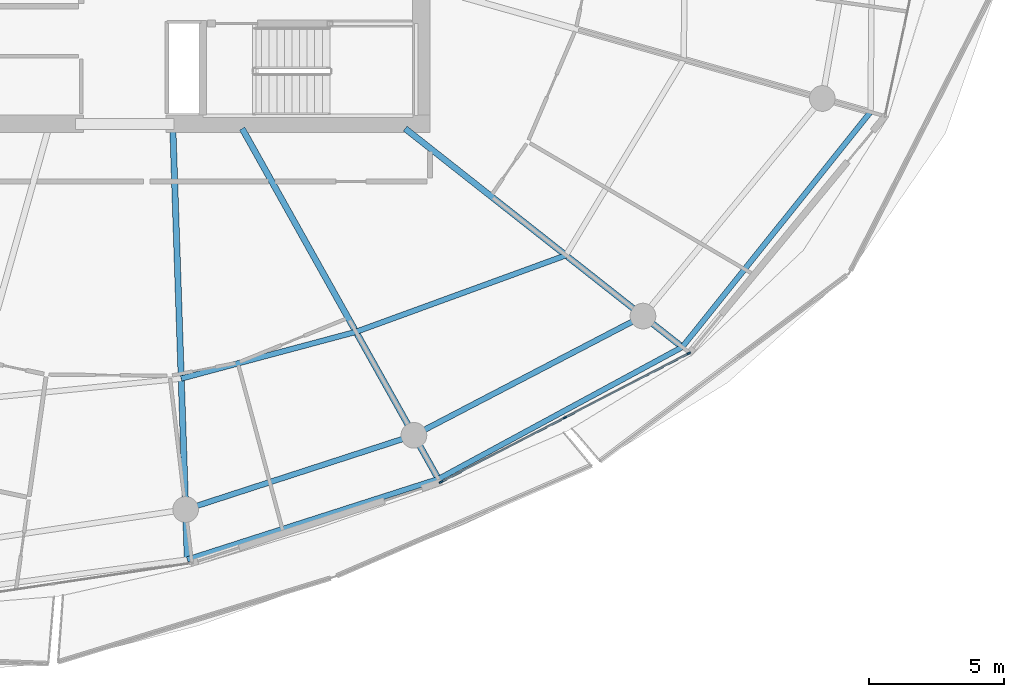
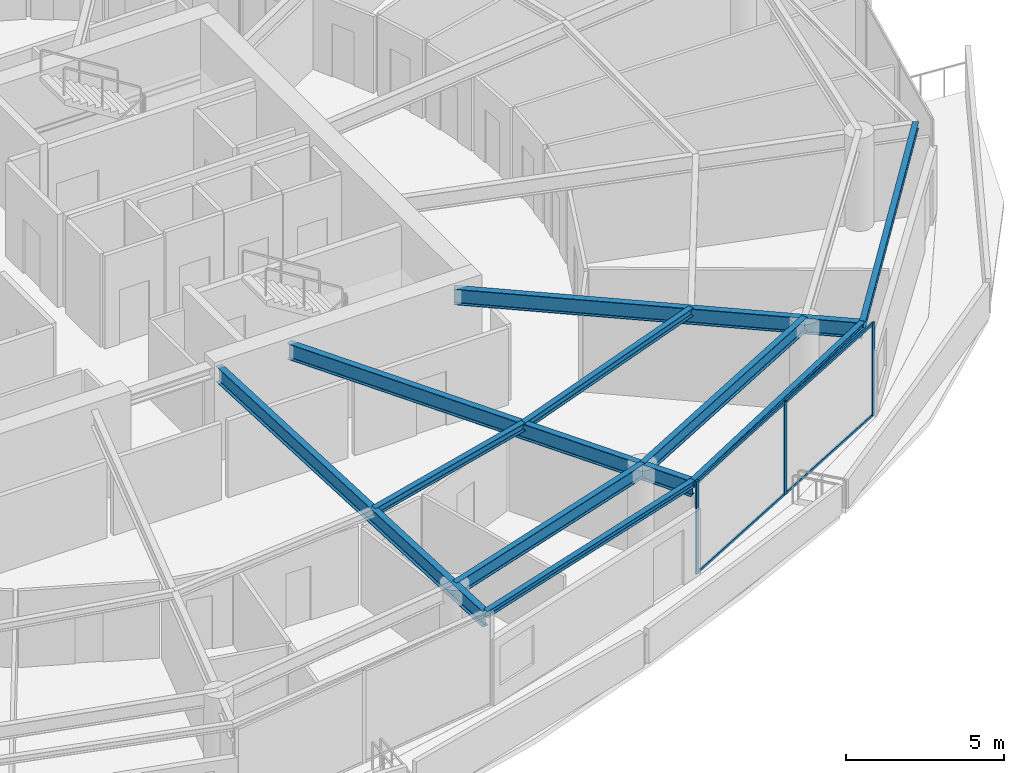
# One storey, part 10 of 31: 10 beams, 7 members, 1 element without a shape of its own.
"""IFC4 building model written with IfcOpenShell, lengths in metres."""

from ifc_helpers import new_model, si_unit, direction, frame, origin, origin_2d, place, context, subcontext, project, spatial, rectangle, i_section, extrude, material, layer, layer_set, material_profile, profile_set, type_object, element, aggregate, save


model = new_model("IFC4")

# Units and contexts
model_context = context("Model", 3, precision=1e-05, world=origin(), true_north=direction((0.0, 1.0)))
body_context = subcontext(model_context, "Body", "Model", "MODEL_VIEW")
ifc_project = project(units=[si_unit("LENGTHUNIT", "METRE"), si_unit("AREAUNIT", "SQUARE_METRE"), si_unit("VOLUMEUNIT", "CUBIC_METRE"), si_unit("PLANEANGLEUNIT", "RADIAN"), si_unit("MASSUNIT", "GRAM", prefix="KILO")], contexts=[model_context])

# Site, building, storey
site_placement = place(None, origin())
site = spatial("IfcSite", under=ifc_project, at=site_placement, CompositionType="ELEMENT")
building_placement = place(site_placement, origin())
building = spatial("IfcBuilding", under=site, at=building_placement, Name="Kazma Halo Residences", CompositionType="ELEMENT")
storey_placement = place(building_placement, frame((0.0, 0.0, 240.550048828125)))
storey = spatial("IfcBuildingStorey", under=building, at=storey_placement, Name="L60", CompositionType="ELEMENT", Elevation=240.550048828125)

# Beams
ifc_material_1 = material(Name="Steel S355", Category="steel")
ifc_material_profile_1 = material_profile(ifc_material_1, i_section(OverallWidth=0.201904296875, OverallDepth=0.2470703125, WebThickness=0.00732421875, FlangeThickness=0.010986328125, FilletRadius=0.011962890625, at=origin_2d()), Name="W250x49.1")
ifc_profile_set_1 = profile_set([ifc_material_profile_1], Name="Steel S355")
beam_type_1 = type_object("IfcBeamType", Name="BM-BAL-CANT", PredefinedType="BEAM", material=ifc_profile_set_1)
beam_1_placement = place(storey_placement, frame((50.7333984375, 17.580078125, 3.466552734375), z_axis=(0.952215866624, 0.305425839362, 0.0), x_axis=(-0.305425839362, 0.952215866624, 0.0)))
element("IfcBeam", 1, at=beam_1_placement, inside=storey, type_object=beam_type_1, Name="L60 wave-balcony tie beam 12", PredefinedType="BEAM", context=body_context, shape_type="SweptSolid", body=[
    extrude(i_section(OverallWidth=0.201904296875, OverallDepth=0.2470703125, WebThickness=0.00732421875, FlangeThickness=0.010986328125, FilletRadius=0.011962890625, at=origin_2d()), origin(), (0.0, 0.0, 1.0), 9.74169921875),
])
beam_2_placement = place(storey_placement, frame((60.009521484375, 20.555419921875, 3.466552734375), z_axis=(0.879517282036, 0.475866946321, 0.0), x_axis=(-0.475866946321, 0.879517282036, 0.0)))
element("IfcBeam", 2, at=beam_2_placement, inside=storey, type_object=beam_type_1, Name="L60 wave-balcony tie beam 13", PredefinedType="BEAM", context=body_context, shape_type="SweptSolid", body=[
    extrude(i_section(OverallWidth=0.201904296875, OverallDepth=0.2470703125, WebThickness=0.00732421875, FlangeThickness=0.010986328125, FilletRadius=0.011962890625, at=origin_2d()), origin(), (0.0, 0.0, 1.0), 10.243408203125),
])
beam_3_placement = place(storey_placement, frame((69.018798828125, 25.429931640625, 3.466552734375), z_axis=(0.625117912406, 0.780530329705, 0.0), x_axis=(-0.780530329705, 0.625117912406, 0.0)))
element("IfcBeam", 3, at=beam_3_placement, inside=storey, type_object=beam_type_1, Name="L60 wave-balcony tie beam 14", PredefinedType="BEAM", context=body_context, shape_type="SweptSolid", body=[
    extrude(i_section(OverallWidth=0.201904296875, OverallDepth=0.2470703125, WebThickness=0.00732421875, FlangeThickness=0.010986328125, FilletRadius=0.011962890625, at=origin_2d()), origin(), (0.0, 0.0, 1.0), 11.1220703125),
])
ifc_material_profile_2 = material_profile(ifc_material_1, i_section(OverallWidth=0.22802734375, OverallDepth=0.60791015625, WebThickness=0.01123046875, FlangeThickness=0.017333984375, FilletRadius=0.01806640625, at=origin_2d()), Name="W610x113")
ifc_profile_set_2 = profile_set([ifc_material_profile_2], Name="Steel S355")
beam_type_2 = type_object("IfcBeamType", Name="BM-RAD-W610", PredefinedType="BEAM", material=ifc_profile_set_2)
beam_4_placement = place(storey_placement, frame((50.199951171875, 33.5, 3.285888671875), z_axis=(0.03348936291, -0.999439073967, 0.0), x_axis=(0.999439073967, 0.03348936291, 0.0)))
element("IfcBeam", 4, at=beam_4_placement, inside=storey, type_object=beam_type_2, Name="L60 radial floor beam 12", PredefinedType="BEAM", context=body_context, shape_type="SweptSolid", body=[
    extrude(i_section(OverallWidth=0.22802734375, OverallDepth=0.60791015625, WebThickness=0.01123046875, FlangeThickness=0.017333984375, FilletRadius=0.01806640625, at=origin_2d()), origin(), (0.0, 0.0, 1.0), 15.928955078125),
])
beam_5_placement = place(storey_placement, frame((52.76025390625, 33.5, 3.285888671875), z_axis=(0.488618902548, -0.872497316943, 0.0), x_axis=(0.872497316943, 0.488618902548, 0.0)))
element("IfcBeam", 5, at=beam_5_placement, inside=storey, type_object=beam_type_2, Name="L60 radial floor beam 13", PredefinedType="BEAM", context=body_context, shape_type="SweptSolid", body=[
    extrude(i_section(OverallWidth=0.22802734375, OverallDepth=0.60791015625, WebThickness=0.01123046875, FlangeThickness=0.017333984375, FilletRadius=0.01806640625, at=origin_2d()), origin(), (0.0, 0.0, 1.0), 14.836181640625),
])
beam_6_placement = place(storey_placement, frame((58.7822265625, 33.5, 3.285888671875), z_axis=(0.785309266897, -0.619103670903, 0.0), x_axis=(0.619103670903, 0.785309266897, 0.0)))
element("IfcBeam", 6, at=beam_6_placement, inside=storey, type_object=beam_type_2, Name="L60 radial floor beam 14", PredefinedType="BEAM", context=body_context, shape_type="SweptSolid", body=[
    extrude(i_section(OverallWidth=0.22802734375, OverallDepth=0.60791015625, WebThickness=0.01123046875, FlangeThickness=0.017333984375, FilletRadius=0.01806640625, at=origin_2d()), origin(), (0.0, 0.0, 1.0), 13.03515625),
])
ifc_material_profile_3 = material_profile(ifc_material_1, i_section(OverallWidth=0.202880859375, OverallDepth=0.302978515625, WebThickness=0.007568359375, FlangeThickness=0.01318359375, FilletRadius=0.013916015625, at=origin_2d()), Name="W310x60")
ifc_profile_set_3 = profile_set([ifc_material_profile_3], Name="Steel S355")
beam_type_3 = type_object("IfcBeamType", Name="BM-SEC-W310A", PredefinedType="JOIST", material=ifc_profile_set_3)
beam_7_placement = place(storey_placement, frame((50.50927734375, 24.2666015625, 3.4384765625), z_axis=(0.966079519115, 0.258244772932, 0.0), x_axis=(-0.258244772932, 0.966079519115, 0.0)))
element("IfcBeam", 7, at=beam_7_placement, inside=storey, type_object=beam_type_3, Name="L60 circumferential floor joist 12", PredefinedType="JOIST", context=body_context, shape_type="SweptSolid", body=[
    extrude(i_section(OverallWidth=0.202880859375, OverallDepth=0.302978515625, WebThickness=0.007568359375, FlangeThickness=0.01318359375, FilletRadius=0.013916015625, at=origin_2d()), origin(), (0.0, 0.0, 1.0), 6.681884765625),
])
beam_8_placement = place(storey_placement, frame((56.964599609375, 25.9921875, 3.4384765625), z_axis=(0.93951330561, 0.342512406465, 0.0), x_axis=(-0.342512406465, 0.93951330561, 0.0)))
element("IfcBeam", 8, at=beam_8_placement, inside=storey, type_object=beam_type_3, Name="L60 circumferential floor joist 13", PredefinedType="JOIST", context=body_context, shape_type="SweptSolid", body=[
    extrude(i_section(OverallWidth=0.202880859375, OverallDepth=0.302978515625, WebThickness=0.007568359375, FlangeThickness=0.01318359375, FilletRadius=0.013916015625, at=origin_2d()), origin(), (0.0, 0.0, 1.0), 8.254150390625),
])
ifc_material_profile_4 = material_profile(ifc_material_1, i_section(OverallWidth=0.208984375, OverallDepth=0.532958984375, WebThickness=0.01025390625, FlangeThickness=0.015625, FilletRadius=0.01611328125, at=origin_2d()), Name="W530x92")
ifc_profile_set_4 = profile_set([ifc_material_profile_4], Name="Steel S355")
beam_type_4 = type_object("IfcBeamType", Name="BM-SPN-W530", PredefinedType="BEAM", material=ifc_profile_set_4)
beam_9_placement = place(storey_placement, frame((50.67138671875, 19.42919921875, 3.323486328125), z_axis=(0.951053893407, 0.309025066679, 0.0), x_axis=(-0.309025066679, 0.951053893407, 0.0)))
element("IfcBeam", 9, at=beam_9_placement, inside=storey, type_object=beam_type_4, Name="L60 perimeter ring beam 12", PredefinedType="BEAM", context=body_context, shape_type="SweptSolid", body=[
    extrude(i_section(OverallWidth=0.208984375, OverallDepth=0.532958984375, WebThickness=0.01025390625, FlangeThickness=0.015625, FilletRadius=0.01611328125, at=origin_2d()), origin(), (0.0, 0.0, 1.0), 8.8681640625),
])
beam_10_placement = place(storey_placement, frame((59.10546875, 22.169677734375, 3.323486328125), z_axis=(0.886961047115, 0.461844238788, 0.0), x_axis=(-0.461844238788, 0.886961047115, 0.0)))
element("IfcBeam", 10, at=beam_10_placement, inside=storey, type_object=beam_type_4, Name="L60 perimeter ring beam 13", PredefinedType="BEAM", context=body_context, shape_type="SweptSolid", body=[
    extrude(i_section(OverallWidth=0.208984375, OverallDepth=0.532958984375, WebThickness=0.01025390625, FlangeThickness=0.015625, FilletRadius=0.01611328125, at=origin_2d()), origin(), (0.0, 0.0, 1.0), 9.5390625),
])

# Curtain wall, members
ifc_material_2 = material(Name="Aluminium AW-6063 T6 and Triple-Silver Low-E Glass", Category="aluminium")
ifc_layer = layer(ifc_material_2, 0.139892578125)
ifc_layer_set = layer_set([ifc_layer], Name="Aluminium AW-6063 T6 and Triple-Silver Low-E Glass")
curtain_wall_type = type_object("IfcCurtainWallType", Name="CW-SYS-5", PredefinedType="NOTDEFINED", material=ifc_layer_set)
curtain_wall_placement = place(storey_placement, origin())
curtain_wall = element("IfcCurtainWall", 11, at=curtain_wall_placement, inside=storey, type_object=curtain_wall_type, Name="L60 unitised curtain wall B13", PredefinedType="NOTDEFINED")
ifc_material_3 = material(Name="Aluminium AW-6063 T6", Category="aluminium")
ifc_material_profile_5 = material_profile(ifc_material_3, rectangle(XDim=0.06005859375, YDim=0.139892578125, at=origin_2d()), Name="CWM-60x140")
ifc_profile_set_5 = profile_set([ifc_material_profile_5], Name="Aluminium AW-6063 T6")
member_type_1 = type_object("IfcMemberType", Name="CW-SYS-5-MUL", PredefinedType="MULLION", material=ifc_profile_set_5)
member_1_placement = place(storey_placement, frame((60.105224609375, 20.446044921875, 0.0), z_axis=(0.0, 0.0, 1.0), x_axis=(-0.460960760804, 0.887420518694, 0.0)))
member_1 = element("IfcMember", 12, at=member_1_placement, type_object=member_type_1, Name="CWS-5 mullion 1", PredefinedType="MULLION", context=body_context, shape_type="SweptSolid", body=[
    extrude(rectangle(XDim=0.06005859375, YDim=0.139892578125, at=origin_2d()), origin(), (0.0, 0.0, 1.0), 3.58984375),
])
member_2_placement = place(storey_placement, frame((64.68408203125, 22.824462890625, 0.0), z_axis=(0.0, 0.0, 1.0), x_axis=(-0.460960760804, 0.887420518694, 0.0)))
member_2 = element("IfcMember", 13, at=member_2_placement, type_object=member_type_1, Name="CWS-5 mullion 2", PredefinedType="MULLION", context=body_context, shape_type="SweptSolid", body=[
    extrude(rectangle(XDim=0.06005859375, YDim=0.139892578125, at=origin_2d()), origin(), (0.0, 0.0, 1.0), 3.58984375),
])
member_3_placement = place(storey_placement, frame((69.262939453125, 25.202880859375, 0.0), z_axis=(0.0, 0.0, 1.0), x_axis=(-0.460960760804, 0.887420518694, 0.0)))
member_3 = element("IfcMember", 14, at=member_3_placement, type_object=member_type_1, Name="CWS-5 mullion 3", PredefinedType="MULLION", context=body_context, shape_type="SweptSolid", body=[
    extrude(rectangle(XDim=0.06005859375, YDim=0.139892578125, at=origin_2d()), origin(), (0.0, 0.0, 1.0), 3.58984375),
])
ifc_material_profile_6 = material_profile(ifc_material_3, rectangle(XDim=0.06005859375, YDim=0.10498046875, at=origin_2d()), Name="CWT-60x105")
ifc_profile_set_6 = profile_set([ifc_material_profile_6], Name="Aluminium AW-6063 T6")
member_type_2 = type_object("IfcMemberType", Name="CW-SYS-5-TRN", PredefinedType="USERDEFINED", material=ifc_profile_set_6)
member_4_placement = place(storey_placement, frame((60.1318359375, 20.4599609375, 0.030029296875), z_axis=(0.887436955863, 0.46092911534, 0.0), x_axis=(-0.46092911534, 0.887436955863, 0.0)))
member_4 = element("IfcMember", 15, at=member_4_placement, type_object=member_type_2, Name="CWS-5 transom 1.1", ObjectType="TRANSOM", PredefinedType="USERDEFINED", context=body_context, shape_type="SweptSolid", body=[
    extrude(rectangle(XDim=0.06005859375, YDim=0.10498046875, at=origin_2d()), origin(), (0.0, 0.0, 1.0), 5.099609375),
])
member_5_placement = place(storey_placement, frame((60.1318359375, 20.4599609375, 3.56005859375), z_axis=(0.887436955863, 0.46092911534, 0.0), x_axis=(-0.46092911534, 0.887436955863, 0.0)))
member_5 = element("IfcMember", 16, at=member_5_placement, type_object=member_type_2, Name="CWS-5 transom 1.2", ObjectType="TRANSOM", PredefinedType="USERDEFINED", context=body_context, shape_type="SweptSolid", body=[
    extrude(rectangle(XDim=0.06005859375, YDim=0.10498046875, at=origin_2d()), origin(), (0.0, 0.0, 1.0), 5.099609375),
])
member_6_placement = place(storey_placement, frame((64.710693359375, 22.83837890625, 0.030029296875), z_axis=(0.887436955863, 0.46092911534, 0.0), x_axis=(-0.46092911534, 0.887436955863, 0.0)))
member_6 = element("IfcMember", 17, at=member_6_placement, type_object=member_type_2, Name="CWS-5 transom 2.1", ObjectType="TRANSOM", PredefinedType="USERDEFINED", context=body_context, shape_type="SweptSolid", body=[
    extrude(rectangle(XDim=0.06005859375, YDim=0.10498046875, at=origin_2d()), origin(), (0.0, 0.0, 1.0), 5.099609375),
])
member_7_placement = place(storey_placement, frame((64.710693359375, 22.83837890625, 3.56005859375), z_axis=(0.887436955863, 0.46092911534, 0.0), x_axis=(-0.46092911534, 0.887436955863, 0.0)))
member_7 = element("IfcMember", 18, at=member_7_placement, type_object=member_type_2, Name="CWS-5 transom 2.2", ObjectType="TRANSOM", PredefinedType="USERDEFINED", context=body_context, shape_type="SweptSolid", body=[
    extrude(rectangle(XDim=0.06005859375, YDim=0.10498046875, at=origin_2d()), origin(), (0.0, 0.0, 1.0), 5.099609375),
])
aggregate(curtain_wall, [member_1, member_2, member_3, member_4, member_5, member_6, member_7])

save(model, "model.ifc")
